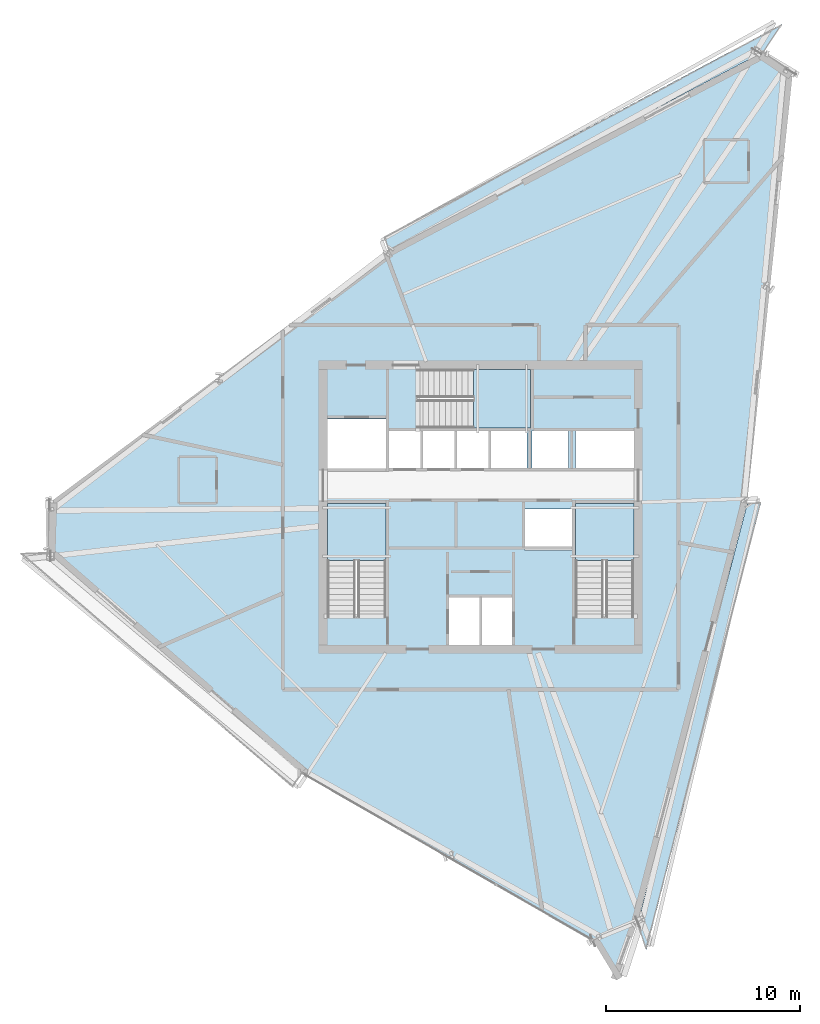
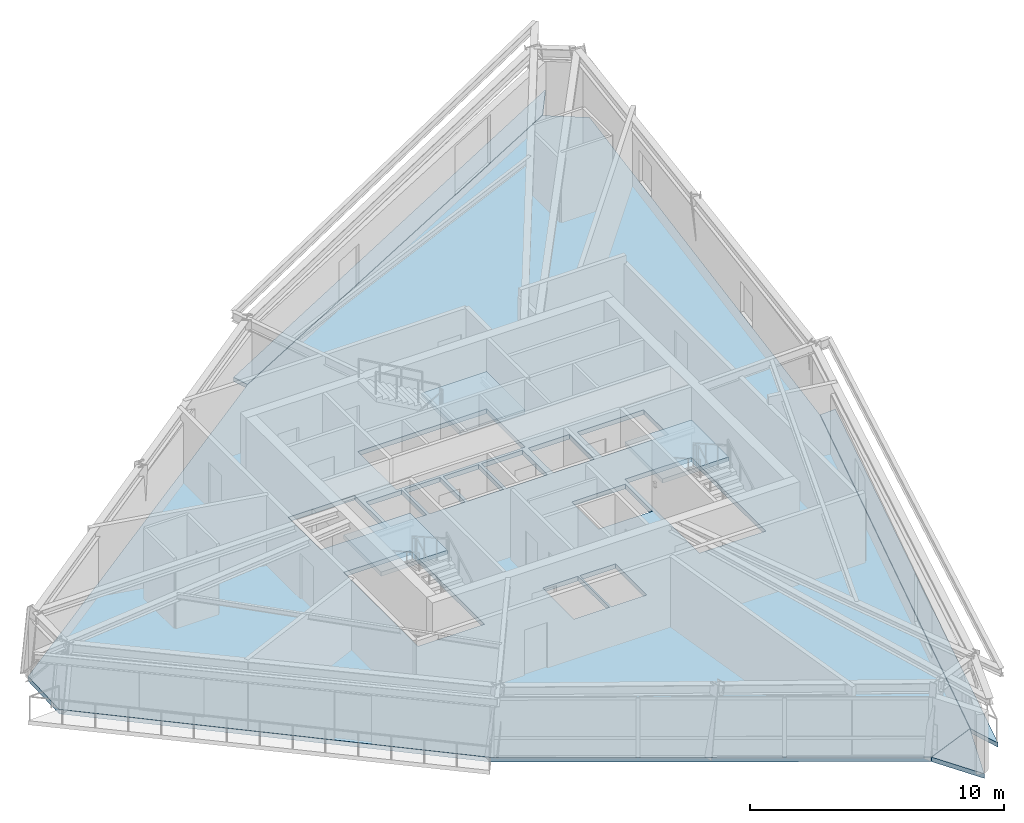
# One storey, part 5 of 13: 7 slabs, 3 elements without a shape of their own.
"""IFC4 building model written with IfcOpenShell, lengths in metres."""

from ifc_helpers import new_model, si_unit, direction, frame, origin, place, context, subcontext, project, spatial, polyline, outline, extrude, material, layer, layer_set, type_object, element, aggregate, save


model = new_model("IFC4")

# Units and contexts
model_context = context("Model", 3, precision=1e-05, world=origin(), true_north=direction((0.0, 1.0)))
body_context = subcontext(model_context, "Body", "Model", "MODEL_VIEW")
ifc_project = project(units=[si_unit("LENGTHUNIT", "METRE"), si_unit("AREAUNIT", "SQUARE_METRE"), si_unit("VOLUMEUNIT", "CUBIC_METRE"), si_unit("PLANEANGLEUNIT", "RADIAN"), si_unit("MASSUNIT", "GRAM", prefix="KILO")], contexts=[model_context])

# Site, building, storey
site_placement = place(None, origin())
site = spatial("IfcSite", under=ifc_project, at=site_placement, CompositionType="ELEMENT")
building_placement = place(site_placement, origin())
building = spatial("IfcBuilding", under=site, at=building_placement, Name="Olszyna Solenne Hotel", CompositionType="ELEMENT")
storey_placement = place(building_placement, frame((0.0, 0.0, 263.300048828125)))
storey = spatial("IfcBuildingStorey", under=building, at=storey_placement, Name="L70", CompositionType="ELEMENT", Elevation=263.300048828125)

# Stair, slab
ifc_material_1 = material(Name="Concrete C40/50", Category="concrete")
stair_type = type_object("IfcStairType", Name="STR-C1", PredefinedType="TWO_QUARTER_WINDING_STAIR", material=ifc_material_1)
stair_1_placement = place(storey_placement, origin())
stair_1 = element("IfcStair", 1, at=stair_1_placement, inside=storey, type_object=stair_type, Name="L70 ST1", PredefinedType="TWO_QUARTER_WINDING_STAIR")
ifc_layer_1 = layer(ifc_material_1, 0.18994140625, Name="Concrete C40/50")
ifc_layer_set_1 = layer_set([ifc_layer_1], Name="Concrete C40/50")
slab_type_1 = type_object("IfcSlabType", Name="SL-LN190", PredefinedType="LANDING", material=ifc_layer_set_1)
slab_1_placement = place(storey_placement, frame((0.0, 0.0, 1.599853515625)))
slab_1 = element("IfcSlab", 2, at=slab_1_placement, type_object=slab_type_1, Name="ST1 landing 1", PredefinedType="LANDING", context=body_context, shape_type="SweptSolid", body=[
    extrude(outline(polyline([(33.1201171875, 23.85009765625), (33.1201171875, 26.800048828125), (30.10009765625, 26.800048828125), (30.10009765625, 23.85009765625), (33.1201171875, 23.85009765625)])), origin(), (0.0, 0.0, 1.0), 0.2001953125),
])
aggregate(stair_1, [slab_1])

stair_2_placement = place(storey_placement, origin())
stair_2 = element("IfcStair", 3, at=stair_2_placement, inside=storey, type_object=stair_type, Name="L70 ST2", PredefinedType="TWO_QUARTER_WINDING_STAIR")
slab_2_placement = place(storey_placement, frame((0.0, 0.0, 1.599853515625)))
slab_2 = element("IfcSlab", 4, at=slab_2_placement, type_object=slab_type_1, Name="ST2 landing 1", PredefinedType="LANDING", context=body_context, shape_type="SweptSolid", body=[
    extrude(outline(polyline([(45.89990234375, 23.85009765625), (45.89990234375, 26.800048828125), (42.8798828125, 26.800048828125), (42.8798828125, 23.85009765625), (45.89990234375, 23.85009765625)])), origin(), (0.0, 0.0, 1.0), 0.2001953125),
])
aggregate(stair_2, [slab_2])

stair_3_placement = place(storey_placement, origin())
stair_3 = element("IfcStair", 5, at=stair_3_placement, inside=storey, type_object=stair_type, Name="L70 ST3", PredefinedType="TWO_QUARTER_WINDING_STAIR")
slab_3_placement = place(storey_placement, frame((0.0, 0.0, 1.599853515625)))
slab_3 = element("IfcSlab", 6, at=slab_3_placement, type_object=slab_type_1, Name="ST3 landing 1", PredefinedType="LANDING", context=body_context, shape_type="SweptSolid", body=[
    extrude(outline(polyline([(37.6298828125, 30.679931640625), (40.580078125, 30.679931640625), (40.580078125, 33.699951171875), (37.6298828125, 33.699951171875), (37.6298828125, 30.679931640625)])), origin(), (0.0, 0.0, 1.0), 0.2001953125),
])
aggregate(stair_3, [slab_3])

# Slabs
ifc_material_2 = material(Name="Precast concrete C45/55", Category="concrete")
ifc_layer_2 = layer(ifc_material_2, 0.199951171875, Name="Precast concrete C45/55")
ifc_layer_set_2 = layer_set([ifc_layer_2], Name="Precast concrete C45/55")
slab_type_2 = type_object("IfcSlabType", Name="SL-LOG200", PredefinedType="FLOOR", material=ifc_layer_set_2)
slab_4_placement = place(storey_placement, frame((0.0, 0.0, -0.199951171875)))
element("IfcSlab", 7, at=slab_4_placement, inside=storey, type_object=slab_type_2, Name="Exterior loggia balcony slab SL-L70-LG1", PredefinedType="FLOOR", context=body_context, shape_type="SweptSolid", body=[
    extrude(outline(polyline([(33.266357421875, 39.86376953125), (52.541259765625, 50.0478515625), (52.54248046875, 50.04833984375), (52.5439453125, 50.048828125), (52.54541015625, 50.04931640625), (52.546875, 50.04931640625), (52.54833984375, 50.049560546875), (52.5498046875, 50.04931640625), (52.55126953125, 50.04931640625), (52.552490234375, 50.048828125), (52.553955078125, 50.04833984375), (52.555419921875, 50.047607421875), (52.556396484375, 50.047119140625), (53.538330078125, 51.514892578125), (33.041015625, 40.559326171875), (33.266357421875, 39.86376953125)])), origin(), (0.0, 0.0, 1.0), 0.199951171875),
])
slab_5_placement = place(storey_placement, frame((0.0, 0.0, -0.199951171875)))
element("IfcSlab", 8, at=slab_5_placement, inside=storey, type_object=slab_type_2, Name="Exterior loggia balcony slab SL-L70-LG3", PredefinedType="FLOOR", context=body_context, shape_type="SweptSolid", body=[
    extrude(outline(polyline([(51.746826171875, 26.798828125), (51.74658203125, 26.796630859375), (51.746337890625, 26.795654296875), (51.74609375, 26.79443359375), (46.10009765625, 5.197998046875), (46.099609375, 5.196533203125), (46.09326171875, 5.178466796875), (46.5458984375, 3.78125), (52.456787109375, 26.828369140625), (51.746826171875, 26.798828125)])), origin(), (0.0, 0.0, 1.0), 0.199951171875),
])
ifc_material_3 = material(Name="Concrete C50/60", Category="concrete")
ifc_layer_3 = layer(ifc_material_3, 0.219970703125, Name="Concrete C50/60")
ifc_layer_set_3 = layer_set([ifc_layer_3], Name="Concrete C50/60")
slab_type_3 = type_object("IfcSlabType", Name="SL-TW225", PredefinedType="FLOOR", material=ifc_layer_set_3)
slab_6_placement = place(storey_placement, frame((0.0, 0.0, -0.219970703125)))
element("IfcSlab", 9, at=slab_6_placement, inside=storey, type_object=slab_type_3, Name="Floor slab SL-TW225 SL-L70-01", PredefinedType="FLOOR", context=body_context, shape_type="SweptSolid", body=[
    extrude(outline(polyline([(54.084228515625, 48.99658203125), (52.548095703125, 50.034423828125), (33.27099609375, 39.84912109375), (15.780517578125, 26.832763671875), (15.708984375, 24.26416015625), (28.77978515625, 12.90380859375), (43.79248046875, 4.2705078125), (46.085693359375, 5.20166015625), (51.731689453125, 26.79833984375), (54.084228515625, 48.99658203125)]), holes=[polyline([(30.10009765625, 20.949951171875), (33.1201171875, 20.949951171875), (33.1201171875, 26.800048828125), (30.10009765625, 26.800048828125), (30.10009765625, 20.949951171875)]), polyline([(42.8798828125, 20.949951171875), (45.89990234375, 20.949951171875), (45.89990234375, 26.800048828125), (42.8798828125, 26.800048828125), (42.8798828125, 20.949951171875)]), polyline([(34.72998046875, 30.679931640625), (40.580078125, 30.679931640625), (40.580078125, 33.699951171875), (34.72998046875, 33.699951171875), (34.72998046875, 30.679931640625)]), polyline([(36.340087890625, 19.5), (37.9599609375, 19.5), (37.9599609375, 21.9599609375), (36.340087890625, 21.9599609375), (36.340087890625, 19.5)]), polyline([(38.0400390625, 19.5), (39.659912109375, 19.5), (39.659912109375, 21.9599609375), (38.0400390625, 21.9599609375), (38.0400390625, 19.5)]), polyline([(30.10009765625, 28.60009765625), (33.1201171875, 28.60009765625), (33.1201171875, 31.159912109375), (30.10009765625, 31.159912109375), (30.10009765625, 28.60009765625)]), polyline([(40.280029296875, 24.360107421875), (42.719970703125, 24.360107421875), (42.719970703125, 26.5), (40.280029296875, 26.5), (40.280029296875, 24.360107421875)]), polyline([(33.280029296875, 28.60009765625), (34.89990234375, 28.60009765625), (34.89990234375, 30.550048828125), (33.280029296875, 30.550048828125), (33.280029296875, 28.60009765625)]), polyline([(35.030029296875, 28.60009765625), (36.64990234375, 28.60009765625), (36.64990234375, 30.550048828125), (35.030029296875, 30.550048828125), (35.030029296875, 28.60009765625)]), polyline([(36.780029296875, 28.60009765625), (38.39990234375, 28.60009765625), (38.39990234375, 30.550048828125), (36.780029296875, 30.550048828125), (36.780029296875, 28.60009765625)]), polyline([(38.530029296875, 28.60009765625), (40.389892578125, 28.60009765625), (40.389892578125, 30.550048828125), (38.530029296875, 30.550048828125), (38.530029296875, 28.60009765625)]), polyline([(40.659912109375, 28.60009765625), (42.52001953125, 28.60009765625), (42.52001953125, 30.550048828125), (40.659912109375, 30.550048828125), (40.659912109375, 28.60009765625)]), polyline([(42.8798828125, 28.60009765625), (45.89990234375, 28.60009765625), (45.89990234375, 30.550048828125), (42.8798828125, 30.550048828125), (42.8798828125, 28.60009765625)])]), origin(), (0.0, 0.0, 1.0), 0.219970703125),
])
slab_7_placement = place(storey_placement, frame((0.0, 0.0, -0.219970703125)))
element("IfcSlab", 10, at=slab_7_placement, inside=storey, type_object=slab_type_3, Name="Faceted glass-prism floor slab SL-L70-PR", PredefinedType="FLOOR", context=body_context, shape_type="SweptSolid", body=[
    extrude(outline(polyline([(46.0810546875, 5.189208984375), (43.797607421875, 4.26171875), (45.020751953125, 2.23291015625), (46.0810546875, 5.189208984375)])), origin(), (0.0, 0.0, 1.0), 0.219970703125),
])

save(model, "model.ifc")
